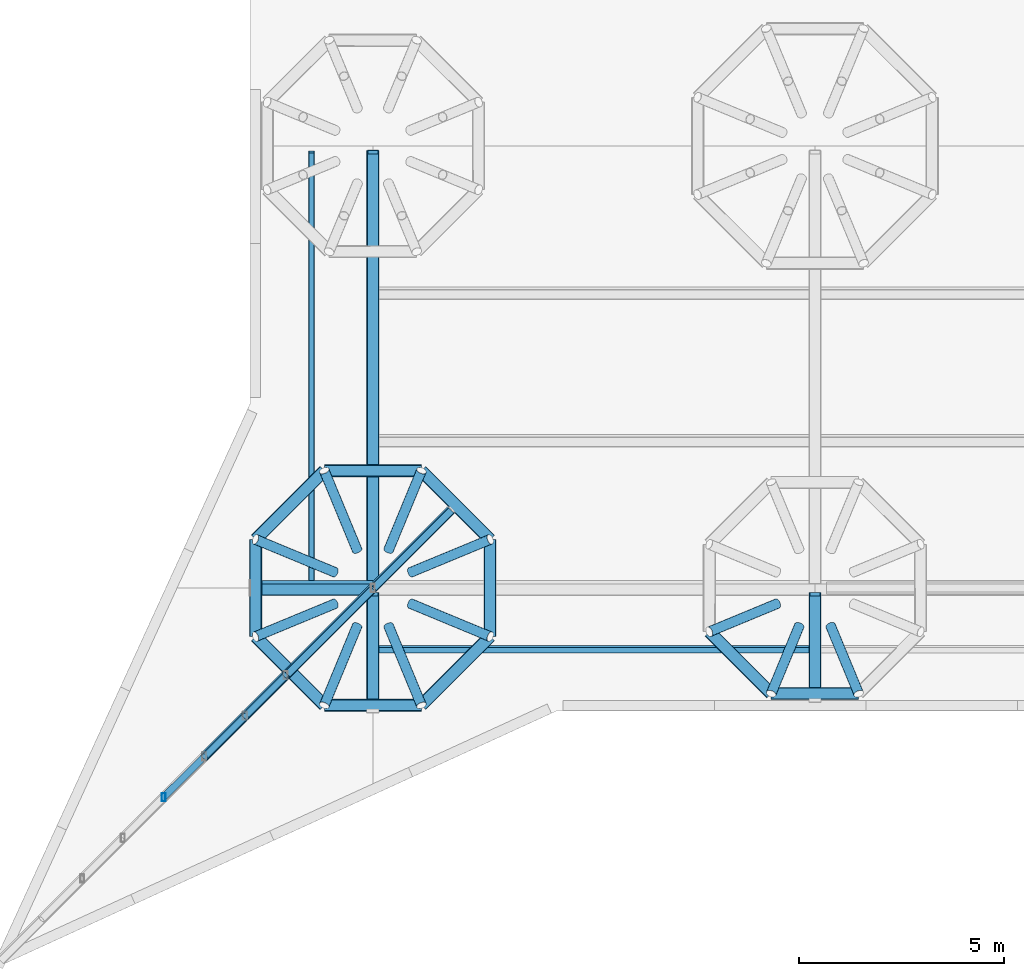
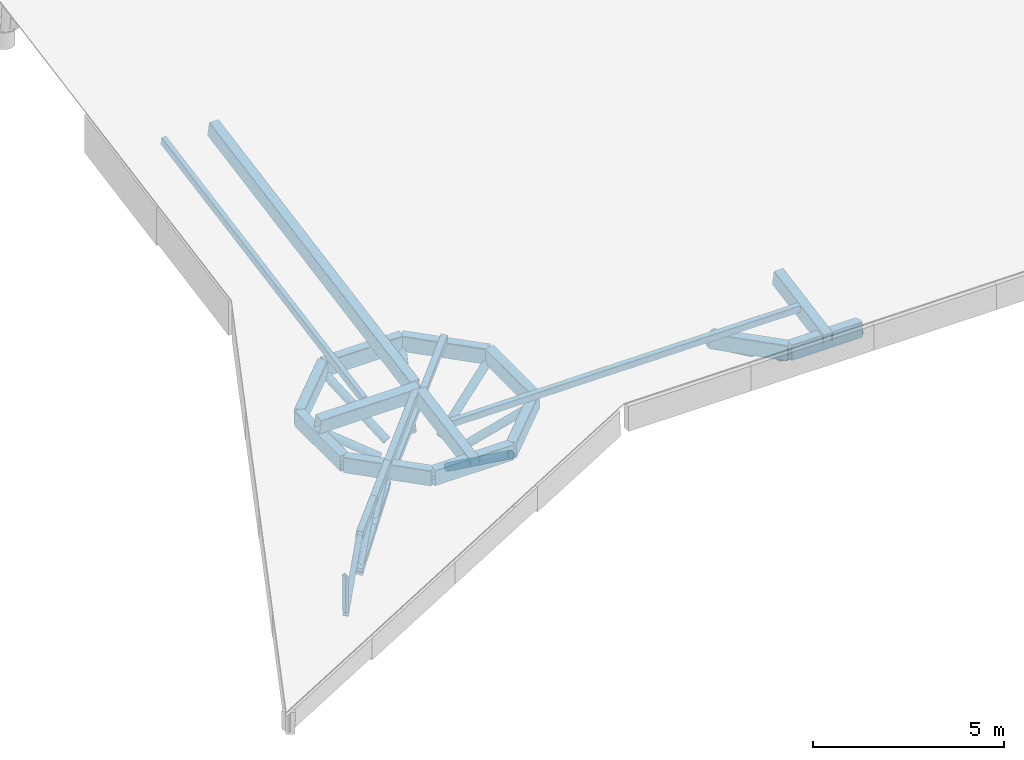
# One storey, part 5 of 56: 21 members, 16 beams.
"""IFC4 building model written with IfcOpenShell, lengths in metres."""

from ifc_helpers import new_model, si_unit, direction, frame, origin, origin_2d, place, context, subcontext, project, spatial, hollow_rectangle, hollow_circle, extrude, clip, halfspace, material, material_profile, profile_set, type_object, element, save


model = new_model("IFC4")

# Units and contexts
model_context = context("Model", 3, precision=1e-05, world=origin(), true_north=direction((0.0, 1.0)))
body_context = subcontext(model_context, "Body", "Model", "MODEL_VIEW")
ifc_project = project(units=[si_unit("LENGTHUNIT", "METRE"), si_unit("AREAUNIT", "SQUARE_METRE"), si_unit("VOLUMEUNIT", "CUBIC_METRE"), si_unit("PLANEANGLEUNIT", "RADIAN"), si_unit("MASSUNIT", "GRAM", prefix="KILO")], contexts=[model_context])

# Site, building, storey
site_placement = place(None, origin())
site = spatial("IfcSite", under=ifc_project, at=site_placement, CompositionType="ELEMENT")
building_placement = place(site_placement, origin())
building = spatial("IfcBuilding", under=site, at=building_placement, Name="Magnolia Steps Interchange", CompositionType="ELEMENT")
storey_placement = place(building_placement, frame((0.0, 0.0, 8.699951171875)))
storey = spatial("IfcBuildingStorey", under=building, at=storey_placement, Name="L02", CompositionType="ELEMENT", Elevation=8.699951171875)

# Beams
ifc_material_1 = material(Name="Steel Q355B", Category="steel")
ifc_material_profile_1 = material_profile(ifc_material_1, hollow_rectangle(XDim=0.300048828125, YDim=0.5, WallThickness=0.01611328125, InnerFilletRadius=0.01611328125, OuterFilletRadius=0.031982421875, at=origin_2d()), Name="RHS500x300x16")
ifc_profile_set_1 = profile_set([ifc_material_profile_1], Name="Steel Q355B")
beam_type_1 = type_object("IfcBeamType", Name="Ring beam RHS500x300x16", PredefinedType="BEAM", material=ifc_profile_set_1)
beam_1_placement = place(storey_placement, frame((56.06396484375, 43.586181640625, 1.44873046875), z_axis=(-0.707106781187, 0.707106781187, 0.0), x_axis=(-0.707106781187, -0.707106781187, 0.0)))
element("IfcBeam", 1, at=beam_1_placement, inside=storey, type_object=beam_type_1, Name="Ring beam TH01A", PredefinedType="BEAM", context=body_context, shape_type="Clipping", body=[
    clip(clip(extrude(hollow_rectangle(XDim=0.300048828125, YDim=0.5, WallThickness=0.01611328125, InnerFilletRadius=0.01611328125, OuterFilletRadius=0.031982421875, at=origin_2d()), origin(), (0.0, 0.0, 1.0), 2.37255859375), halfspace(frame((0.0, 0.0, 0.0), z_axis=(0.382683433, 0.0, -0.923879532), x_axis=(0.923879532, 0.0, 0.382683433)), False)), halfspace(frame((0.0, 0.0, 2.372674707), z_axis=(0.382683433, 0.0, 0.923879532), x_axis=(0.923879532, 0.0, -0.382683433)), False)),
])
beam_2_placement = place(storey_placement, frame((54.38623046875, 45.263916015625, 1.44873046875), z_axis=(-1.0, 0.0, 0.0), x_axis=(0.0, -1.0, 0.0)))
element("IfcBeam", 2, at=beam_2_placement, inside=storey, type_object=beam_type_1, Name="Ring beam TH01A", PredefinedType="BEAM", context=body_context, shape_type="Clipping", body=[
    clip(clip(extrude(hollow_rectangle(XDim=0.300048828125, YDim=0.5, WallThickness=0.01611328125, InnerFilletRadius=0.01611328125, OuterFilletRadius=0.031982421875, at=origin_2d()), origin(), (0.0, 0.0, 1.0), 2.37255859375), halfspace(frame((0.0, 0.0, 0.0), z_axis=(0.382683432, 0.0, -0.923879533), x_axis=(0.923879533, 0.0, 0.382683432)), False)), halfspace(frame((0.0, 0.0, 2.372558594), z_axis=(0.382683432, 0.0, 0.923879533), x_axis=(0.923879533, 0.0, -0.382683432)), False)),
])
beam_3_placement = place(storey_placement, frame((52.013671875, 45.263916015625, 1.44873046875), z_axis=(-0.707106781187, -0.707106781187, 0.0), x_axis=(0.707106781187, -0.707106781187, 0.0)))
element("IfcBeam", 3, at=beam_3_placement, inside=storey, type_object=beam_type_1, Name="Ring beam TH01A", PredefinedType="BEAM", context=body_context, shape_type="Clipping", body=[
    clip(clip(extrude(hollow_rectangle(XDim=0.300048828125, YDim=0.5, WallThickness=0.01611328125, InnerFilletRadius=0.01611328125, OuterFilletRadius=0.031982421875, at=origin_2d()), origin(), (0.0, 0.0, 1.0), 2.37255859375), halfspace(frame((0.0, 0.0, 0.0), z_axis=(0.382683433, 0.0, -0.923879532), x_axis=(0.923879532, 0.0, 0.382683433)), False)), halfspace(frame((0.0, 0.0, 2.372674707), z_axis=(0.382683433, 0.0, 0.923879532), x_axis=(0.923879532, 0.0, -0.382683433)), False)),
])
beam_4_placement = place(storey_placement, frame((50.3359375, 43.586181640625, 1.44873046875), z_axis=(0.0, -1.0, 0.0), x_axis=(1.0, 0.0, 0.0)))
element("IfcBeam", 4, at=beam_4_placement, inside=storey, type_object=beam_type_1, Name="Ring beam TH01A", PredefinedType="BEAM", context=body_context, shape_type="Clipping", body=[
    clip(clip(extrude(hollow_rectangle(XDim=0.300048828125, YDim=0.5, WallThickness=0.01611328125, InnerFilletRadius=0.01611328125, OuterFilletRadius=0.031982421875, at=origin_2d()), origin(), (0.0, 0.0, 1.0), 2.37255859375), halfspace(frame((0.0, 0.0, 0.0), z_axis=(0.382683432, 0.0, -0.923879533), x_axis=(0.923879533, 0.0, 0.382683432)), False)), halfspace(frame((0.0, 0.0, 2.372558594), z_axis=(0.382683432, 0.0, 0.923879533), x_axis=(0.923879533, 0.0, -0.382683432)), False)),
])
beam_5_placement = place(storey_placement, frame((50.3359375, 41.213623046875, 1.44873046875), z_axis=(0.707106781187, -0.707106781187, 0.0), x_axis=(0.707106781187, 0.707106781187, 0.0)))
element("IfcBeam", 5, at=beam_5_placement, inside=storey, type_object=beam_type_1, Name="Ring beam TH01A", PredefinedType="BEAM", context=body_context, shape_type="Clipping", body=[
    clip(clip(extrude(hollow_rectangle(XDim=0.300048828125, YDim=0.5, WallThickness=0.01611328125, InnerFilletRadius=0.01611328125, OuterFilletRadius=0.031982421875, at=origin_2d()), origin(), (0.0, 0.0, 1.0), 2.37255859375), halfspace(frame((0.0, 0.0, 0.0), z_axis=(0.382683433, 0.0, -0.923879532), x_axis=(0.923879532, 0.0, 0.382683433)), False)), halfspace(frame((0.0, 0.0, 2.372674707), z_axis=(0.382683433, 0.0, 0.923879532), x_axis=(0.923879532, 0.0, -0.382683433)), False)),
])
beam_6_placement = place(storey_placement, frame((52.013671875, 39.535888671875, 1.44873046875), z_axis=(1.0, 0.0, 0.0), x_axis=(0.0, 1.0, 0.0)))
element("IfcBeam", 6, at=beam_6_placement, inside=storey, type_object=beam_type_1, Name="Ring beam TH01A", PredefinedType="BEAM", context=body_context, shape_type="Clipping", body=[
    clip(clip(extrude(hollow_rectangle(XDim=0.300048828125, YDim=0.5, WallThickness=0.01611328125, InnerFilletRadius=0.01611328125, OuterFilletRadius=0.031982421875, at=origin_2d()), origin(), (0.0, 0.0, 1.0), 2.37255859375), halfspace(frame((0.0, 0.0, 0.0), z_axis=(0.382683432, 0.0, -0.923879533), x_axis=(0.923879533, 0.0, 0.382683432)), False)), halfspace(frame((0.0, 0.0, 2.372558594), z_axis=(0.382683432, 0.0, 0.923879533), x_axis=(0.923879533, 0.0, -0.382683432)), False)),
])
beam_7_placement = place(storey_placement, frame((54.38623046875, 39.535888671875, 1.44873046875), z_axis=(0.707106781187, 0.707106781187, 0.0), x_axis=(-0.707106781187, 0.707106781187, 0.0)))
element("IfcBeam", 7, at=beam_7_placement, inside=storey, type_object=beam_type_1, Name="Ring beam TH01A", PredefinedType="BEAM", context=body_context, shape_type="Clipping", body=[
    clip(clip(extrude(hollow_rectangle(XDim=0.300048828125, YDim=0.5, WallThickness=0.01611328125, InnerFilletRadius=0.01611328125, OuterFilletRadius=0.031982421875, at=origin_2d()), origin(), (0.0, 0.0, 1.0), 2.37255859375), halfspace(frame((0.0, 0.0, 0.0), z_axis=(0.382683433, 0.0, -0.923879532), x_axis=(0.923879532, 0.0, 0.382683433)), False)), halfspace(frame((0.0, 0.0, 2.372674707), z_axis=(0.382683433, 0.0, 0.923879532), x_axis=(0.923879532, 0.0, -0.382683433)), False)),
])
beam_8_placement = place(storey_placement, frame((56.06396484375, 41.213623046875, 1.44873046875), z_axis=(0.0, 1.0, 0.0), x_axis=(-1.0, 0.0, 0.0)))
element("IfcBeam", 8, at=beam_8_placement, inside=storey, type_object=beam_type_1, Name="Ring beam TH01A", PredefinedType="BEAM", context=body_context, shape_type="Clipping", body=[
    clip(clip(extrude(hollow_rectangle(XDim=0.300048828125, YDim=0.5, WallThickness=0.01611328125, InnerFilletRadius=0.01611328125, OuterFilletRadius=0.031982421875, at=origin_2d()), origin(), (0.0, 0.0, 1.0), 2.37255859375), halfspace(frame((0.0, 0.0, 0.0), z_axis=(0.382683432, 0.0, -0.923879533), x_axis=(0.923879533, 0.0, 0.382683432)), False)), halfspace(frame((0.0, 0.0, 2.372558594), z_axis=(0.382683432, 0.0, 0.923879533), x_axis=(0.923879533, 0.0, -0.382683432)), False)),
])
beam_9_placement = place(storey_placement, frame((61.419921875, 41.331298828125, 1.44873046875), z_axis=(0.707163891131, -0.707049666629, 0.0), x_axis=(0.707049666629, 0.707163891131, 0.0)))
element("IfcBeam", 9, at=beam_9_placement, inside=storey, type_object=beam_type_1, Name="Ring beam TH02A", PredefinedType="BEAM", context=body_context, shape_type="Clipping", body=[
    clip(clip(extrude(hollow_rectangle(XDim=0.300048828125, YDim=0.5, WallThickness=0.01611328125, InnerFilletRadius=0.01611328125, OuterFilletRadius=0.031982421875, at=origin_2d()), origin(), (0.0, 0.0, 1.0), 2.137451171875), halfspace(frame((0.0, 0.0, 0.0), z_axis=(0.382758052, 0.0, -0.92384862), x_axis=(0.923848621, 0.0, 0.382758052)), False)), halfspace(frame((0.0, 0.0, 2.137375265), z_axis=(0.382608811, 0.0, 0.923910438), x_axis=(0.923910438, 0.0, -0.382608811)), False)),
])
beam_10_placement = place(storey_placement, frame((62.931396484375, 39.820068359375, 1.44873046875), z_axis=(1.0, 0.0, 0.0), x_axis=(0.0, 1.0, 0.0)))
element("IfcBeam", 10, at=beam_10_placement, inside=storey, type_object=beam_type_1, Name="Ring beam TH02A", PredefinedType="BEAM", context=body_context, shape_type="Clipping", body=[
    clip(clip(extrude(hollow_rectangle(XDim=0.300048828125, YDim=0.5, WallThickness=0.01611328125, InnerFilletRadius=0.01611328125, OuterFilletRadius=0.031982421875, at=origin_2d()), origin(), (0.0, 0.0, 1.0), 2.13720703125), halfspace(frame((0.0, 0.0, 0.0), z_axis=(0.382683432, 0.0, -0.923879533), x_axis=(0.923879533, 0.0, 0.382683432)), False)), halfspace(frame((0.0, 0.0, 2.137207031), z_axis=(0.382683432, 0.0, 0.923879533), x_axis=(0.923879533, 0.0, -0.382683432)), False)),
])
ifc_material_2 = material(Name="Steel Q355B", Category="steel")
ifc_material_profile_2 = material_profile(ifc_material_2, hollow_rectangle(XDim=0.300048828125, YDim=0.5, WallThickness=0.01611328125, InnerFilletRadius=0.01611328125, OuterFilletRadius=0.031982421875, at=origin_2d()), Name="RHS500x300x16")
ifc_profile_set_2 = profile_set([ifc_material_profile_2], Name="Steel Q355B")
beam_type_2 = type_object("IfcBeamType", Name="Roof beam RHS500x300x16", PredefinedType="BEAM", material=ifc_profile_set_2)
beam_11_placement = place(storey_placement, frame((50.199951171875, 42.39990234375, 1.9931640625), z_axis=(1.0, 0.0, 0.0), x_axis=(0.0, 0.98367737698, 0.17994115154)))
element("IfcBeam", 11, at=beam_11_placement, inside=storey, type_object=beam_type_2, Name="Roof beam", PredefinedType="BEAM", context=body_context, shape_type="SweptSolid", body=[
    extrude(hollow_rectangle(XDim=0.300048828125, YDim=0.5, WallThickness=0.01611328125, InnerFilletRadius=0.01611328125, OuterFilletRadius=0.031982421875, at=origin_2d()), origin(), (0.0, 0.0, 1.0), 3.0),
])
beam_12_placement = place(storey_placement, frame((53.199951171875, 42.550048828125, 2.0205078125), z_axis=(0.0, 0.983678690331, 0.179933971746), x_axis=(-1.0, 0.0, 0.0)))
element("IfcBeam", 12, at=beam_12_placement, inside=storey, type_object=beam_type_2, Name="Roof beam", PredefinedType="BEAM", context=body_context, shape_type="SweptSolid", body=[
    extrude(hollow_rectangle(XDim=0.300048828125, YDim=0.5, WallThickness=0.01611328125, InnerFilletRadius=0.01611328125, OuterFilletRadius=0.031982421875, at=origin_2d()), origin(), (0.0, 0.0, 1.0), 10.67431640625),
])
beam_13_placement = place(storey_placement, frame((53.199951171875, 42.25, 1.965576171875), z_axis=(0.0, -0.983684681442, -0.17990121594), x_axis=(1.0, 0.0, 0.0)))
element("IfcBeam", 13, at=beam_13_placement, inside=storey, type_object=beam_type_2, Name="Roof beam", PredefinedType="BEAM", context=body_context, shape_type="SweptSolid", body=[
    extrude(hollow_rectangle(XDim=0.300048828125, YDim=0.5, WallThickness=0.01611328125, InnerFilletRadius=0.01611328125, OuterFilletRadius=0.031982421875, at=origin_2d()), origin(), (0.0, 0.0, 1.0), 2.8974609375),
])
beam_14_placement = place(storey_placement, frame((64.0, 42.25, 1.965576171875), z_axis=(0.0, -0.983688413027, -0.179880810752), x_axis=(1.0, 0.0, 0.0)))
element("IfcBeam", 14, at=beam_14_placement, inside=storey, type_object=beam_type_2, Name="Roof beam", PredefinedType="BEAM", context=body_context, shape_type="SweptSolid", body=[
    extrude(hollow_rectangle(XDim=0.300048828125, YDim=0.5, WallThickness=0.01611328125, InnerFilletRadius=0.01611328125, OuterFilletRadius=0.031982421875, at=origin_2d()), origin(), (0.0, 0.0, 1.0), 2.633056640625),
])
ifc_material_3 = material(Name="Steel Q355B", Category="steel")
ifc_material_profile_3 = material_profile(ifc_material_3, hollow_rectangle(XDim=0.14990234375, YDim=0.25, WallThickness=0.008056640625, InnerFilletRadius=0.008056640625, OuterFilletRadius=0.01611328125, at=origin_2d()), Name="RHS250x150x8")
ifc_profile_set_3 = profile_set([ifc_material_profile_3], Name="Steel Q355B")
beam_type_3 = type_object("IfcBeamType", Name="Roof edge joist RHS250x150x8", PredefinedType="BEAM", material=ifc_profile_set_3)
beam_15_placement = place(storey_placement, frame((53.35009765625, 40.89990234375, 1.845703125), z_axis=(1.0, 0.0, 0.0), x_axis=(0.0, 0.98367737698, 0.17994115154)))
element("IfcBeam", 15, at=beam_15_placement, inside=storey, type_object=beam_type_3, Name="Roof edge joist", PredefinedType="BEAM", context=body_context, shape_type="SweptSolid", body=[
    extrude(hollow_rectangle(XDim=0.14990234375, YDim=0.25, WallThickness=0.008056640625, InnerFilletRadius=0.008056640625, OuterFilletRadius=0.01611328125, at=origin_2d()), origin(), (0.0, 0.0, 1.0), 10.5),
])
beam_16_placement = place(storey_placement, frame((51.699951171875, 42.550048828125, 2.1474609375), z_axis=(0.0, 0.98367464182, 0.179956103093), x_axis=(-1.0, 0.0, 0.0)))
element("IfcBeam", 16, at=beam_16_placement, inside=storey, type_object=beam_type_3, Name="Roof edge joist", PredefinedType="BEAM", context=body_context, shape_type="SweptSolid", body=[
    extrude(hollow_rectangle(XDim=0.14990234375, YDim=0.25, WallThickness=0.008056640625, InnerFilletRadius=0.008056640625, OuterFilletRadius=0.01611328125, at=origin_2d()), origin(), (0.0, 0.0, 1.0), 10.67431640625),
])

# Members
ifc_material_4 = material(Name="Steel Q355B", Category="steel")
ifc_material_profile_4 = material_profile(ifc_material_4, hollow_rectangle(XDim=0.199951171875, YDim=0.300048828125, WallThickness=0.011962890625, InnerFilletRadius=0.011962890625, OuterFilletRadius=0.02392578125, at=origin_2d()), Name="RHS300x200x12")
ifc_profile_set_4 = profile_set([ifc_material_profile_4], Name="Steel Q355B")
member_type_1 = type_object("IfcMemberType", Name="Roof truss RHS300x200x12", PredefinedType="USERDEFINED", material=ifc_profile_set_4)
member_1_placement = place(storey_placement, frame((53.199951171875, 42.39990234375, 2.0947265625), z_axis=(-0.701262972674, -0.701262972674, -0.12829842678), x_axis=(0.712902688306, -0.689816521651, -0.126186066834)))
element("IfcMember", 17, at=member_1_placement, inside=storey, type_object=member_type_1, Name="Spike truss SP-H-SW top chord", ObjectType="Roof truss", PredefinedType="USERDEFINED", context=body_context, shape_type="SweptSolid", body=[
    extrude(hollow_rectangle(XDim=0.199951171875, YDim=0.300048828125, WallThickness=0.011962890625, InnerFilletRadius=0.011962890625, OuterFilletRadius=0.02392578125, at=origin_2d()), origin(), (0.0, 0.0, 1.0), 3.0390625),
])
for number, where, z_axis, x_axis, name in (
    (18, (51.06884765625, 40.268798828125, 1.704833984375), (-0.70125708406, -0.70125708406, -0.1283627832), (0.71290847849, -0.689810731467, -0.12618500723), "Spike truss SP-H-SW top chord"),
    (19, (50.0751953125, 39.275146484375, 1.52294921875), (-0.701272583716, -0.701272583716, -0.128193317515), (0.712893231565, -0.689825978392, -0.126187796256), "Spike truss SP-H-SW top chord"),
):
    element("IfcMember", number, at=place(storey_placement, frame(where, z_axis=z_axis, x_axis=x_axis)), inside=storey, type_object=member_type_1, Name=name, ObjectType="Roof truss", PredefinedType="USERDEFINED", context=body_context, shape_type="SweptSolid", body=[
        extrude(hollow_rectangle(XDim=0.199951171875, YDim=0.300048828125, WallThickness=0.011962890625, InnerFilletRadius=0.011962890625, OuterFilletRadius=0.02392578125, at=origin_2d()), origin(), (0.0, 0.0, 1.0), 1.4169921875),
    ])
member_2_placement = place(storey_placement, frame((55.119140625, 44.319091796875, 1.845703125), z_axis=(-0.701263815399, -0.701263815399, -0.128289213987), x_axis=(0.712901859426, -0.689817350531, -0.126186218475)))
element("IfcMember", 20, at=member_2_placement, inside=storey, type_object=member_type_1, Name="Spike truss SP-H-SW bottom chord", ObjectType="Roof truss", PredefinedType="USERDEFINED", context=body_context, shape_type="SweptSolid", body=[
    extrude(hollow_rectangle(XDim=0.199951171875, YDim=0.300048828125, WallThickness=0.011962890625, InnerFilletRadius=0.011962890625, OuterFilletRadius=0.02392578125, at=origin_2d()), origin(), (0.0, 0.0, 1.0), 5.47314453125),
])
for number, where, z_axis, x_axis, name in (
    (21, (51.06884765625, 40.268798828125, 1.104736328125), (-0.671642538358, -0.671642538358, -0.312718086041), (0.729790668451, -0.672510902042, -0.123023033924), "Spike truss SP-H-SW bottom chord"),
    (22, (50.0751953125, 39.275146484375, 0.64208984375), (-0.671607871384, -0.671607871384, -0.312866959249), (0.729804302812, -0.672497267681, -0.123016684064), "Spike truss SP-H-SW bottom chord"),
):
    element("IfcMember", number, at=place(storey_placement, frame(where, z_axis=z_axis, x_axis=x_axis)), inside=storey, type_object=member_type_1, Name=name, ObjectType="Roof truss", PredefinedType="USERDEFINED", context=body_context, shape_type="SweptSolid", body=[
        extrude(hollow_rectangle(XDim=0.199951171875, YDim=0.300048828125, WallThickness=0.011962890625, InnerFilletRadius=0.011962890625, OuterFilletRadius=0.02392578125, at=origin_2d()), origin(), (0.0, 0.0, 1.0), 1.4794921875),
    ])
ifc_material_5 = material(Name="Steel Q355B", Category="steel")
ifc_material_profile_5 = material_profile(ifc_material_5, hollow_circle(Radius=0.083984375, WallThickness=0.008056640625, at=origin_2d()), Name="CHS168x8")
ifc_profile_set_5 = profile_set([ifc_material_profile_5], Name="Steel Q355B")
member_type_2 = type_object("IfcMemberType", Name="Roof truss diagonal CHS168x8", PredefinedType="USERDEFINED", material=ifc_profile_set_5)
member_3_placement = place(storey_placement, frame((51.06884765625, 40.268798828125, 1.704833984375), z_axis=(-0.563982405053, -0.563982405053, -0.603197889238), x_axis=(0.761848210331, -0.6371818668, -0.116561456047)))
element("IfcMember", 23, at=member_3_placement, inside=storey, type_object=member_type_2, Name="Spike truss SP-H-SW diagonal", ObjectType="Roof truss diagonal", PredefinedType="USERDEFINED", context=body_context, shape_type="SweptSolid", body=[
    extrude(hollow_circle(Radius=0.083984375, WallThickness=0.008056640625, at=origin_2d()), origin(), (0.0, 0.0, 1.0), 1.761962890625),
])
member_4_placement = place(storey_placement, frame((50.0751953125, 39.275146484375, 1.52294921875), z_axis=(-0.511055686416, -0.511055686416, -0.691118058485), x_axis=(0.775173170125, -0.621436064165, -0.113682780025)))
element("IfcMember", 24, at=member_4_placement, inside=storey, type_object=member_type_2, Name="Spike truss SP-H-SW diagonal", ObjectType="Roof truss diagonal", PredefinedType="USERDEFINED", context=body_context, shape_type="SweptSolid", body=[
    extrude(hollow_circle(Radius=0.083984375, WallThickness=0.008056640625, at=origin_2d()), origin(), (0.0, 0.0, 1.0), 1.9443359375),
])
member_5_placement = place(storey_placement, frame((49.08154296875, 38.281494140625, 1.34130859375), z_axis=(-0.462587561824, -0.462473903946, -0.756393175415), x_axis=(0.787468769474, -0.606297196091, -0.110890248064)))
element("IfcMember", 25, at=member_5_placement, inside=storey, type_object=member_type_2, Name="Spike truss SP-H-SW diagonal", ObjectType="Roof truss diagonal", PredefinedType="USERDEFINED", context=body_context, shape_type="SweptSolid", body=[
    extrude(hollow_circle(Radius=0.083984375, WallThickness=0.008056640625, at=origin_2d()), origin(), (0.0, 0.0, 1.0), 2.14794921875),
])
ifc_material_6 = material(Name="Steel Q355B", Category="steel")
ifc_material_profile_6 = material_profile(ifc_material_6, hollow_rectangle(XDim=0.10009765625, YDim=0.199951171875, WallThickness=0.008056640625, InnerFilletRadius=0.008056640625, OuterFilletRadius=0.01611328125, at=origin_2d()), Name="RHS200x100x8")
ifc_profile_set_6 = profile_set([ifc_material_profile_6], Name="Steel Q355B")
member_type_3 = type_object("IfcMemberType", Name="Roof truss post RHS200x100x8", PredefinedType="USERDEFINED", material=ifc_profile_set_6)
member_6_placement = place(storey_placement, frame((48.087890625, 37.2880859375, -0.133544921875), z_axis=(0.0, 0.0, 1.0), x_axis=(1.0, 0.0, 0.0)))
element("IfcMember", 26, at=member_6_placement, inside=storey, type_object=member_type_3, Name="Spike truss SP-H-SW post", ObjectType="Roof truss post", PredefinedType="USERDEFINED", context=body_context, shape_type="SweptSolid", body=[
    extrude(hollow_rectangle(XDim=0.10009765625, YDim=0.199951171875, WallThickness=0.008056640625, InnerFilletRadius=0.008056640625, OuterFilletRadius=0.01611328125, at=origin_2d()), origin(), (0.0, 0.0, 1.0), 1.14306640625),
])
ifc_material_7 = material(Name="Steel Q355B", Category="steel")
ifc_material_profile_7 = material_profile(ifc_material_7, hollow_circle(Radius=0.12255859375, WallThickness=0.011962890625, at=origin_2d()), Name="CHS245x12")
ifc_profile_set_7 = profile_set([ifc_material_profile_7], Name="Steel Q355B")
member_type_4 = type_object("IfcMemberType", Name="Tree rib CHS245x12", PredefinedType="USERDEFINED", material=ifc_profile_set_7)
for number, where, z_axis, x_axis, name in (
    (27, (54.12158203125, 42.78173828125, 0.00048828125), (0.786082790589, 0.325558420687, 0.5254384465), (-0.382635546835, 0.923899365893, 0.0), "Tree rib TH01A"),
    (28, (53.581787109375, 43.321533203125, 0.00048828125), (0.325558420687, 0.786082790589, 0.5254384465), (-0.923899365893, 0.382635546835, 0.0), "Tree rib TH01A"),
    (29, (52.818359375, 43.321533203125, 0.00048828125), (-0.325646748153, 0.786057502519, 0.525421543288), (-0.923858309875, -0.382734664322, 0.0), "Tree rib TH01A"),
    (30, (52.2783203125, 42.78173828125, 0.00048828125), (-0.786082790589, 0.325558420687, 0.5254384465), (-0.382635546835, -0.923899365893, 0.0), "Tree rib TH01A"),
    (31, (52.2783203125, 42.018310546875, 0.00048828125), (-0.786057502519, -0.325646748153, 0.525421543288), (0.382734664322, -0.923858309875, 0.0), "Tree rib TH01A"),
):
    element("IfcMember", number, at=place(storey_placement, frame(where, z_axis=z_axis, x_axis=x_axis)), inside=storey, type_object=member_type_4, Name=name, ObjectType="TREE RIB", PredefinedType="USERDEFINED", context=body_context, shape_type="SweptSolid", body=[
        extrude(hollow_circle(Radius=0.12255859375, WallThickness=0.011962890625, at=origin_2d()), origin(), (0.0, 0.0, 1.0), 2.470947265625),
    ])
for number, where, z_axis, x_axis, name in (
    (32, (52.818359375, 41.478515625, 0.00048828125), (-0.325621458824, -0.786095251171, 0.525380739692), (0.923875317212, -0.382693608839, 0.0), "Tree rib TH01A"),
    (33, (53.581787109375, 41.478515625, 0.00048828125), (0.325533136591, -0.786120536527, 0.525397638966), (0.923916365178, 0.382594498336, 0.0), "Tree rib TH01A"),
):
    element("IfcMember", number, at=place(storey_placement, frame(where, z_axis=z_axis, x_axis=x_axis)), inside=storey, type_object=member_type_4, Name=name, ObjectType="TREE RIB", PredefinedType="USERDEFINED", context=body_context, shape_type="SweptSolid", body=[
        extrude(hollow_circle(Radius=0.12255859375, WallThickness=0.011962890625, at=origin_2d()), origin(), (0.0, 0.0, 1.0), 2.47119140625),
    ])
member_7_placement = place(storey_placement, frame((54.12158203125, 42.018310546875, 0.00048828125), z_axis=(0.786057502519, -0.325646748153, 0.525421543288), x_axis=(0.382734664322, 0.923858309875, 0.0)))
element("IfcMember", 34, at=member_7_placement, inside=storey, type_object=member_type_4, Name="Tree rib TH01A", ObjectType="TREE RIB", PredefinedType="USERDEFINED", context=body_context, shape_type="SweptSolid", body=[
    extrude(hollow_circle(Radius=0.12255859375, WallThickness=0.011962890625, at=origin_2d()), origin(), (0.0, 0.0, 1.0), 2.470947265625),
])
for number, where, z_axis, x_axis, name in (
    (35, (63.078369140625, 42.018310546875, 0.00048828125), (-0.748590194604, -0.310103460565, 0.586044848359), (0.382712136791, -0.923867642226, 0.0), "Tree rib TH02A"),
    (36, (63.618408203125, 41.478515625, 0.00048828125), (-0.310103460565, -0.748590194604, 0.586044848359), (0.923867642226, -0.382712136791, 0.0), "Tree rib TH02A"),
    (37, (64.381591796875, 41.478515625, 0.00048828125), (0.310103460565, -0.748590194604, 0.586044848359), (0.923867642226, 0.382712136791, 0.0), "Tree rib TH02A"),
):
    element("IfcMember", number, at=place(storey_placement, frame(where, z_axis=z_axis, x_axis=x_axis)), inside=storey, type_object=member_type_4, Name=name, ObjectType="TREE RIB", PredefinedType="USERDEFINED", context=body_context, shape_type="SweptSolid", body=[
        extrude(hollow_circle(Radius=0.12255859375, WallThickness=0.011962890625, at=origin_2d()), origin(), (0.0, 0.0, 1.0), 2.21533203125),
    ])

save(model, "model.ifc")
